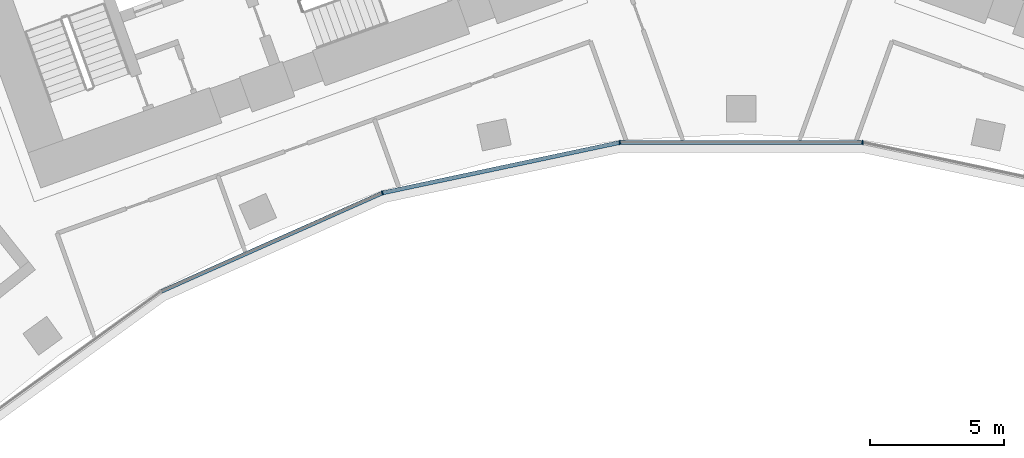
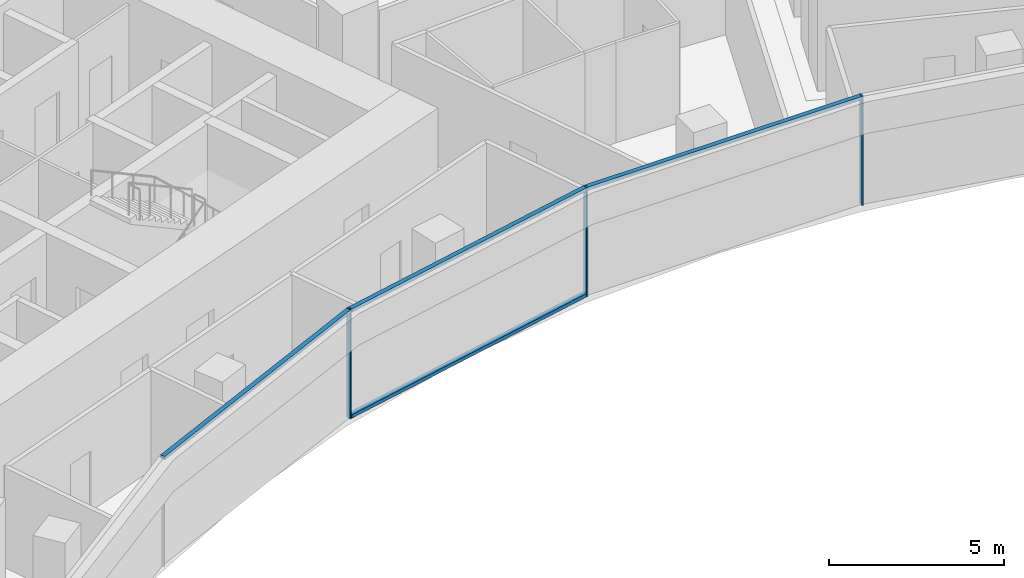
# One storey, part 5 of 23: 7 members, 1 element without a shape of its own.
"""IFC4 building model written with IfcOpenShell, lengths in metres."""

from ifc_helpers import new_model, si_unit, direction, frame, origin, origin_2d, place, context, subcontext, project, spatial, rectangle, extrude, material, layer, layer_set, material_profile, profile_set, type_object, element, aggregate, save


model = new_model("IFC4")

# Units and contexts
model_context = context("Model", 3, precision=1e-05, world=origin(), true_north=direction((0.0, 1.0)))
body_context = subcontext(model_context, "Body", "Model", "MODEL_VIEW")
ifc_project = project(units=[si_unit("LENGTHUNIT", "METRE"), si_unit("AREAUNIT", "SQUARE_METRE"), si_unit("VOLUMEUNIT", "CUBIC_METRE"), si_unit("PLANEANGLEUNIT", "RADIAN"), si_unit("MASSUNIT", "GRAM", prefix="KILO")], contexts=[model_context])

# Site, building, storey
site_placement = place(None, origin())
site = spatial("IfcSite", under=ifc_project, at=site_placement, CompositionType="ELEMENT")
building_placement = place(site_placement, origin())
building = spatial("IfcBuilding", under=site, at=building_placement, Name="Stone Belt Terrace Tower", CompositionType="ELEMENT")
storey_placement = place(building_placement, frame((0.0, 0.0, 178.199951171875)))
storey = spatial("IfcBuildingStorey", under=building, at=storey_placement, Name="L43", CompositionType="ELEMENT", Elevation=178.199951171875)

# Curtain wall, members
ifc_material = material(Name="Aluminium 6063-T6 anodised frame", Category="aluminium")
ifc_layer = layer(ifc_material, 0.14990234375)
ifc_layer_set = layer_set([ifc_layer], Name="CW-B unitised concave-face curtain wall")
curtain_wall_type = type_object("IfcCurtainWallType", Name="CW-B unitised concave-face curtain wall", PredefinedType="NOTDEFINED", material=ifc_layer_set)
curtain_wall_placement = place(storey_placement, origin())
curtain_wall = element("IfcCurtainWall", 1, at=curtain_wall_placement, inside=storey, type_object=curtain_wall_type, Name="CW-B concave face L43", PredefinedType="NOTDEFINED")
ifc_material_profile_1 = material_profile(ifc_material, rectangle(XDim=0.14990234375, YDim=0.050048828125, at=origin_2d()), Name="Aluminium 6063-T6 50x150")
ifc_profile_set_1 = profile_set([ifc_material_profile_1], Name="Aluminium 6063-T6 anodised frame")
member_type_1 = type_object("IfcMemberType", Name="CW-B mullion 50 x 150", PredefinedType="MULLION", material=ifc_profile_set_1)
member_1_placement = place(storey_placement, frame((-13.4189453125, 41.29931640625, 0.0), z_axis=(0.0, 0.0, 1.0), x_axis=(-0.309016994375, 0.951056516295, 0.0)))
member_1 = element("IfcMember", 2, at=member_1_placement, type_object=member_type_1, Name="CW-B mullion 4", PredefinedType="MULLION", context=body_context, shape_type="SweptSolid", body=[
    extrude(rectangle(XDim=0.14990234375, YDim=0.050048828125, at=origin_2d()), origin(), (0.0, 0.0, 1.0), 3.800048828125),
])
member_2_placement = place(storey_placement, frame((-4.5390625, 43.186767578125, 0.0), z_axis=(0.0, 0.0, 1.0), x_axis=(-0.104528463268, 0.994521895368, 0.0)))
member_2 = element("IfcMember", 3, at=member_2_placement, type_object=member_type_1, Name="CW-B mullion 5", PredefinedType="MULLION", context=body_context, shape_type="SweptSolid", body=[
    extrude(rectangle(XDim=0.14990234375, YDim=0.050048828125, at=origin_2d()), origin(), (0.0, 0.0, 1.0), 3.800048828125),
])
member_3_placement = place(storey_placement, frame((4.5390625, 43.186767578125, 0.0), z_axis=(0.0, 0.0, 1.0), x_axis=(0.104528463268, 0.994521895368, 0.0)))
member_3 = element("IfcMember", 4, at=member_3_placement, type_object=member_type_1, Name="CW-B mullion 6", PredefinedType="MULLION", context=body_context, shape_type="SweptSolid", body=[
    extrude(rectangle(XDim=0.14990234375, YDim=0.050048828125, at=origin_2d()), origin(), (0.0, 0.0, 1.0), 3.800048828125),
])
ifc_material_profile_2 = material_profile(ifc_material, rectangle(XDim=0.14990234375, YDim=0.1201171875, at=origin_2d()), Name="Aluminium 6063-T6 150x120")
ifc_profile_set_2 = profile_set([ifc_material_profile_2], Name="Aluminium 6063-T6 anodised frame")
member_type_2 = type_object("IfcMemberType", Name="CW-B transom 120 x 150", PredefinedType="USERDEFINED", material=ifc_profile_set_2)
member_4_placement = place(storey_placement, frame((-21.682373046875, 37.6201171875, 3.739990234375), z_axis=(0.913548853737, 0.406729015237, 0.0), x_axis=(-0.406729015237, 0.913548853737, 0.0)))
member_4 = element("IfcMember", 5, at=member_4_placement, type_object=member_type_2, Name="CW-B transom 3.1", ObjectType="TRANSOM", PredefinedType="USERDEFINED", context=body_context, shape_type="SweptSolid", body=[
    extrude(rectangle(XDim=0.14990234375, YDim=0.1201171875, at=origin_2d()), origin(), (0.0, 0.0, 1.0), 9.0126953125),
])
member_5_placement = place(storey_placement, frame((-13.386962890625, 41.30615234375, 0.06005859375), z_axis=(0.9781499003, 0.207900871914, 0.0), x_axis=(-0.207900871914, 0.9781499003, 0.0)))
member_5 = element("IfcMember", 6, at=member_5_placement, type_object=member_type_2, Name="CW-B transom 4.1", ObjectType="TRANSOM", PredefinedType="USERDEFINED", context=body_context, shape_type="SweptSolid", body=[
    extrude(rectangle(XDim=0.14990234375, YDim=0.1201171875, at=origin_2d()), origin(), (0.0, 0.0, 1.0), 9.012939453125),
])
member_6_placement = place(storey_placement, frame((-13.386962890625, 41.30615234375, 3.739990234375), z_axis=(0.9781499003, 0.207900871914, 0.0), x_axis=(-0.207900871914, 0.9781499003, 0.0)))
member_6 = element("IfcMember", 7, at=member_6_placement, type_object=member_type_2, Name="CW-B transom 4.2", ObjectType="TRANSOM", PredefinedType="USERDEFINED", context=body_context, shape_type="SweptSolid", body=[
    extrude(rectangle(XDim=0.14990234375, YDim=0.1201171875, at=origin_2d()), origin(), (0.0, 0.0, 1.0), 9.012939453125),
])
member_7_placement = place(storey_placement, frame((-4.50634765625, 43.186767578125, 3.739990234375), z_axis=(1.0, 0.0, 0.0), x_axis=(0.0, 1.0, 0.0)))
member_7 = element("IfcMember", 8, at=member_7_placement, type_object=member_type_2, Name="CW-B transom 5.1", ObjectType="TRANSOM", PredefinedType="USERDEFINED", context=body_context, shape_type="SweptSolid", body=[
    extrude(rectangle(XDim=0.14990234375, YDim=0.1201171875, at=origin_2d()), origin(), (0.0, 0.0, 1.0), 9.0126953125),
])
aggregate(curtain_wall, [member_1, member_2, member_3, member_4, member_5, member_6, member_7])

save(model, "model.ifc")
